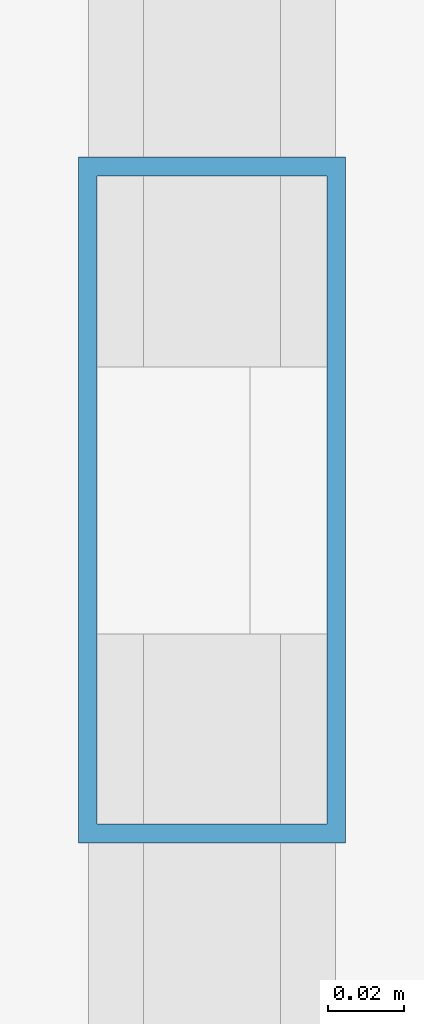
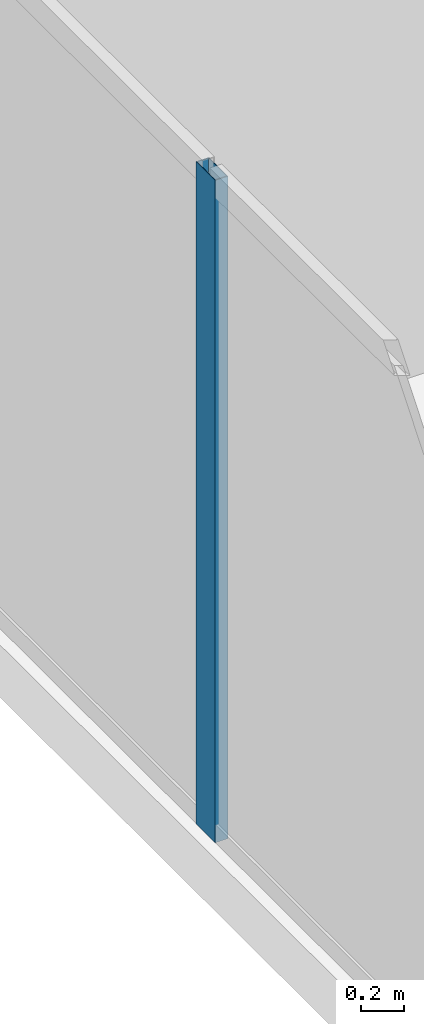
# One storey, part 9 of 35: 1 member, 1 element without a shape of its own.
"""IFC4 building model written with IfcOpenShell, lengths in metres."""

from ifc_helpers import new_model, si_unit, direction, frame, origin, origin_2d, place, context, subcontext, project, spatial, hollow_rectangle, extrude, source, transform, mapped, material, layer, layer_set, material_profile, profile_set, type_object, type_shapes, element, aggregate, save


model = new_model("IFC4")

# Units and contexts
model_context = context("Model", 3, precision=1e-05, world=origin(), true_north=direction((0.0, 1.0)))
body_context = subcontext(model_context, "Body", "Model", "MODEL_VIEW")
ifc_project = project(units=[si_unit("LENGTHUNIT", "METRE"), si_unit("AREAUNIT", "SQUARE_METRE"), si_unit("VOLUMEUNIT", "CUBIC_METRE"), si_unit("PLANEANGLEUNIT", "RADIAN"), si_unit("MASSUNIT", "GRAM", prefix="KILO")], contexts=[model_context])

# Site, building, storey
site_placement = place(None, origin())
site = spatial("IfcSite", under=ifc_project, at=site_placement, CompositionType="ELEMENT")
building_placement = place(site_placement, origin())
building = spatial("IfcBuilding", under=site, at=building_placement, Name="Haelvirn Gate Laboratories", CompositionType="ELEMENT")
storey_placement = place(building_placement, frame((0.0, 0.0, 226.0)))
storey = spatial("IfcBuildingStorey", under=building, at=storey_placement, Name="L54", CompositionType="ELEMENT", Elevation=226.0)

# Curtain wall, member
ifc_material_1 = material(Name="Anodised bronze unitised aluminium & triple low-E glass", Category="aluminium")
ifc_layer = layer(ifc_material_1, 0.176025390625, Name="CW-SYS-4")
ifc_layer_set = layer_set([ifc_layer], Name="Anodised bronze unitised aluminium & triple low-E glass")
curtain_wall_type = type_object("IfcCurtainWallType", Name="CW-SYS-4", PredefinedType="NOTDEFINED", material=ifc_layer_set)
curtain_wall_placement = place(storey_placement, origin())
curtain_wall = element("IfcCurtainWall", 1, at=curtain_wall_placement, inside=storey, type_object=curtain_wall_type, Name="L54 Unitised Curtain Wall CW-L54-P0-E17", PredefinedType="NOTDEFINED")
ifc_material_2 = material(Name="Extruded aluminium 6063-T6 (anodised bronze)", Category="aluminium")
ifc_material_profile = material_profile(ifc_material_2, hollow_rectangle(XDim=0.070068359375, YDim=0.179931640625, WallThickness=0.0048828125, at=origin_2d()), Name="CWM-180x70x5")
ifc_profile_set = profile_set([ifc_material_profile], Name="Extruded aluminium 6063-T6 (anodised bronze)")
member_type = type_object("IfcMemberType", Name="CWM-T180", PredefinedType="MULLION", material=ifc_profile_set)
shared_shape = source(origin(), body_context, "Body", "SweptSolid", [
    extrude(hollow_rectangle(XDim=0.070068359375, YDim=0.179931640625, WallThickness=0.0048828125, at=origin_2d()), origin(), (0.0, 0.0, 1.0), 3.800048828125),
])
type_shapes(member_type, [shared_shape])
member_placement = place(storey_placement, frame((4.10009765625, 24.300048828125, 0.0), z_axis=(0.0, 0.0, 1.0), x_axis=(1.0, 0.0, 0.0)))
member = element("IfcMember", 2, at=member_placement, type_object=member_type, Name="CW4 mullion 2", PredefinedType="MULLION", context=body_context, shape_type="MappedRepresentation", body=[
    mapped(shared_shape, transform((0.0, 0.0, 0.0), scale=1.0)),
])
aggregate(curtain_wall, [member])

save(model, "model.ifc")
